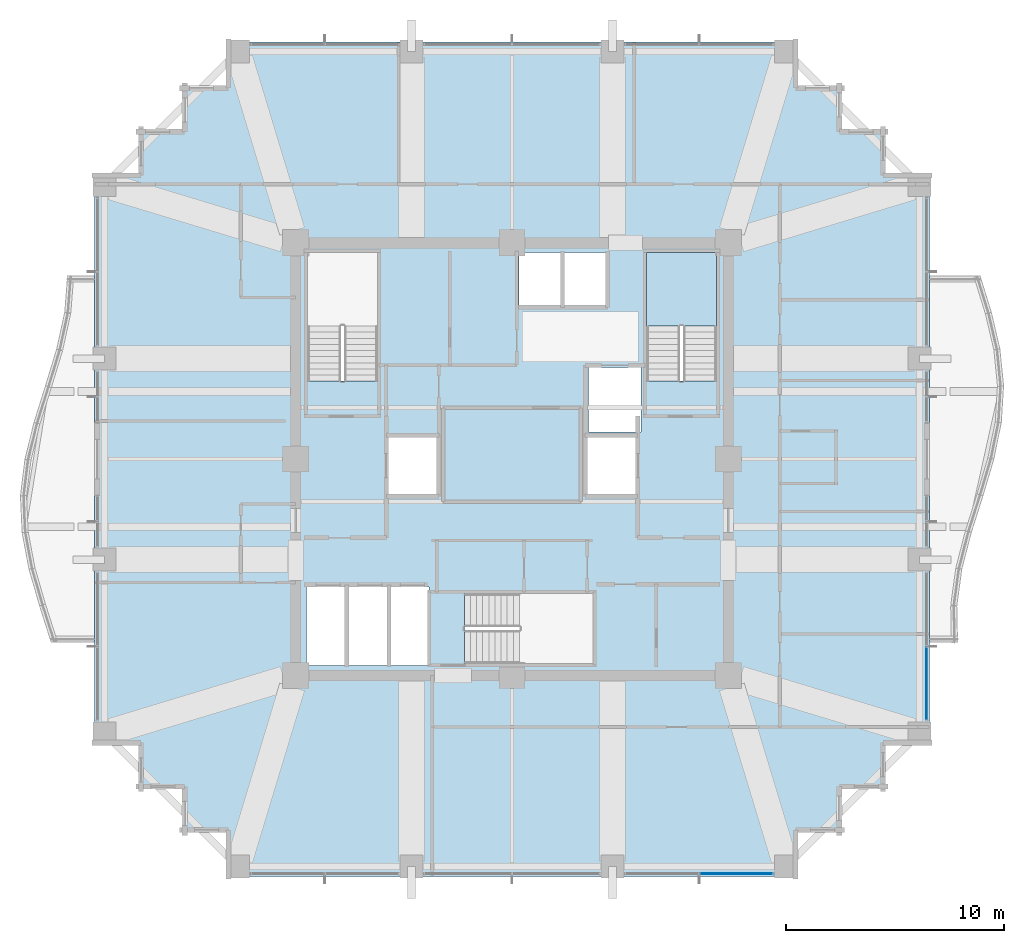
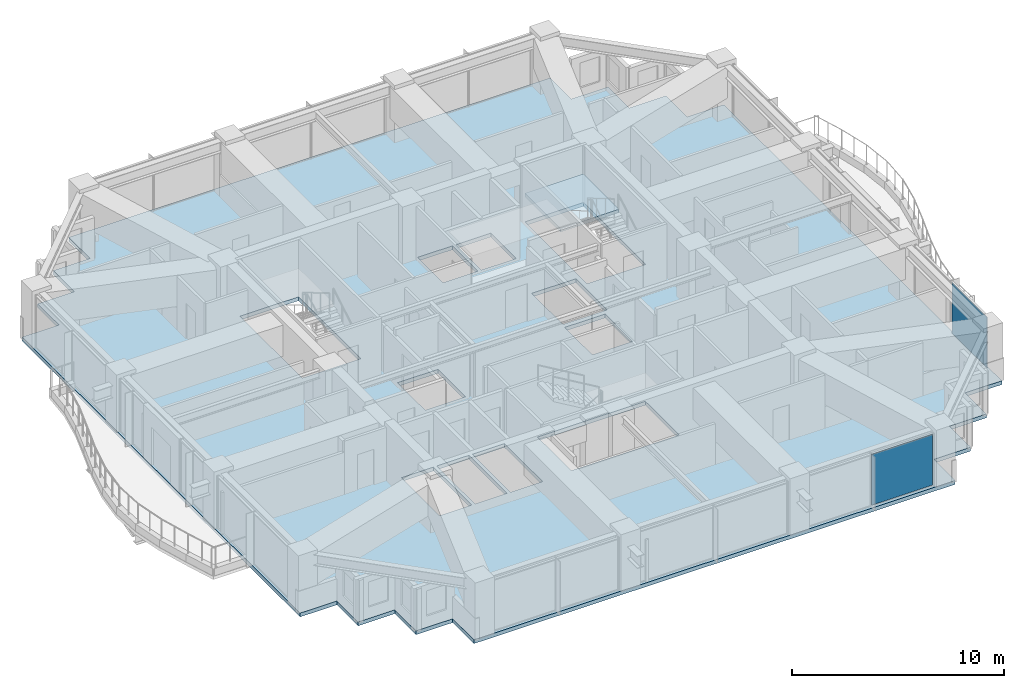
# One storey, part 27 of 36: 2 plates, 2 slabs, 3 elements without a shape of their own.
"""IFC4 building model written with IfcOpenShell, lengths in metres."""

from ifc_helpers import new_model, si_unit, direction, frame, origin, origin_2d, place, context, subcontext, project, spatial, polyline, rectangle, outline, extrude, material, layer, layer_set, type_object, element, aggregate, save


model = new_model("IFC4")

# Units and contexts
model_context = context("Model", 3, precision=1e-05, world=origin(), true_north=direction((0.0, 1.0)))
body_context = subcontext(model_context, "Body", "Model", "MODEL_VIEW")
ifc_project = project(units=[si_unit("LENGTHUNIT", "METRE"), si_unit("AREAUNIT", "SQUARE_METRE"), si_unit("VOLUMEUNIT", "CUBIC_METRE"), si_unit("PLANEANGLEUNIT", "RADIAN"), si_unit("MASSUNIT", "GRAM", prefix="KILO")], contexts=[model_context])

# Site, building, storey
site_placement = place(None, origin())
site = spatial("IfcSite", under=ifc_project, at=site_placement, CompositionType="ELEMENT")
building_placement = place(site_placement, origin())
building = spatial("IfcBuilding", under=site, at=building_placement, Name="Kolvaren Belvedere", CompositionType="ELEMENT")
storey_placement = place(building_placement, frame((0.0, 0.0, 108.5)))
storey = spatial("IfcBuildingStorey", under=building, at=storey_placement, Name="L31", CompositionType="ELEMENT", Elevation=108.5)

# Curtain wall, plate
ifc_material_1 = material(Name="Anodised pale-metal aluminium AA 6063-T6", Category="aluminium")
curtain_wall_type = type_object("IfcCurtainWallType", Name="CW-Z3-WAIST", PredefinedType="NOTDEFINED", material=ifc_material_1)
curtain_wall_1_placement = place(storey_placement, origin())
curtain_wall_1 = element("IfcCurtainWall", 1, at=curtain_wall_1_placement, inside=storey, type_object=curtain_wall_type, Name="L31 Unitised Curtain Wall FCW-L31-S-B1", PredefinedType="NOTDEFINED")
ifc_material_2 = material(Name="Low-iron triple insulated glass", Category="glass")
ifc_layer_1 = layer(ifc_material_2, 0.028076171875)
ifc_layer_set_1 = layer_set([ifc_layer_1], Name="Low-iron triple insulated glass")
plate_type = type_object("IfcPlateType", Name="CW-PNL-VIS28", PredefinedType="CURTAIN_PANEL", material=ifc_layer_set_1)
plate_1_placement = place(storey_placement, frame((10.273681640625, -18.97998046875, 0.080078125), z_axis=(0.0, 0.0, 1.0), x_axis=(-1.0, 0.0, 0.0)))
plate_1 = element("IfcPlate", 2, at=plate_1_placement, type_object=plate_type, Name="FCW-L31-S-B1 Vision Glazing Panel 1", PredefinedType="CURTAIN_PANEL", context=body_context, shape_type="SweptSolid", body=[
    extrude(rectangle(XDim=3.3173828125, YDim=0.028076171875, at=origin_2d()), origin(), (0.0, 0.0, 1.0), 2.919921875),
])
aggregate(curtain_wall_1, [plate_1])

curtain_wall_2_placement = place(storey_placement, origin())
curtain_wall_2 = element("IfcCurtainWall", 3, at=curtain_wall_2_placement, inside=storey, type_object=curtain_wall_type, Name="L31 Unitised Curtain Wall FCW-L31-E2-B2", PredefinedType="NOTDEFINED")
plate_2_placement = place(storey_placement, frame((18.97998046875, -10.273681640625, 0.080078125), z_axis=(0.0, 0.0, 1.0), x_axis=(0.0, -1.0, 0.0)))
plate_2 = element("IfcPlate", 4, at=plate_2_placement, type_object=plate_type, Name="FCW-L31-E2-B2 Vision Glazing Panel 2", PredefinedType="CURTAIN_PANEL", context=body_context, shape_type="SweptSolid", body=[
    extrude(rectangle(XDim=3.3173828125, YDim=0.028076171875, at=origin_2d()), origin(), (0.0, 0.0, 1.0), 2.919921875),
])
aggregate(curtain_wall_2, [plate_2])

# Slab
ifc_material_3 = material(Name="Concrete C50/60", Category="concrete")
ifc_layer_2 = layer(ifc_material_3, 0.219970703125)
ifc_layer_set_2 = layer_set([ifc_layer_2], Name="Concrete C50/60")
slab_type_1 = type_object("IfcSlabType", Name="SL-FLR-220", PredefinedType="FLOOR", material=ifc_layer_set_2)
slab_1_placement = place(storey_placement, frame((0.0, 0.0, -0.219970703125)))
element("IfcSlab", 5, at=slab_1_placement, inside=storey, type_object=slab_type_1, Name="L31 Primary Structural Slab", PredefinedType="FLOOR", context=body_context, shape_type="SweptSolid", body=[
    extrude(outline(polyline([(-13.10009765625, -19.10009765625), (13.10009765625, -19.10009765625), (13.10009765625, -17.10009765625), (15.10009765625, -17.10009765625), (15.10009765625, -15.10009765625), (17.10009765625, -15.10009765625), (17.10009765625, -13.10009765625), (19.10009765625, -13.10009765625), (19.10009765625, 13.10009765625), (17.10009765625, 13.10009765625), (17.10009765625, 15.10009765625), (15.10009765625, 15.10009765625), (15.10009765625, 17.10009765625), (13.10009765625, 17.10009765625), (13.10009765625, 19.10009765625), (-13.10009765625, 19.10009765625), (-13.10009765625, 17.10009765625), (-15.10009765625, 17.10009765625), (-15.10009765625, 15.10009765625), (-17.10009765625, 15.10009765625), (-17.10009765625, 13.10009765625), (-19.10009765625, 13.10009765625), (-19.10009765625, -13.10009765625), (-17.10009765625, -13.10009765625), (-17.10009765625, -15.10009765625), (-15.10009765625, -15.10009765625), (-15.10009765625, -17.10009765625), (-13.10009765625, -17.10009765625), (-13.10009765625, -19.10009765625)]), holes=[polyline([(-9.35009765625, 3.580078125), (-6.159912109375, 3.580078125), (-6.159912109375, 9.449951171875), (-9.35009765625, 9.449951171875), (-9.35009765625, 3.580078125)]), polyline([(6.159912109375, 3.580078125), (9.35009765625, 3.580078125), (9.35009765625, 9.449951171875), (6.159912109375, 9.449951171875), (6.159912109375, 3.580078125)]), polyline([(-2.169921875, -9.35009765625), (3.699951171875, -9.35009765625), (3.699951171875, -6.159912109375), (-2.169921875, -6.159912109375), (-2.169921875, -9.35009765625)]), polyline([(-5.64990234375, -1.60009765625), (-3.449951171875, -1.60009765625), (-3.449951171875, 1.0), (-5.64990234375, 1.0), (-5.64990234375, -1.60009765625)]), polyline([(3.5, 1.25), (5.89990234375, 1.25), (5.89990234375, 4.199951171875), (3.5, 4.199951171875), (3.5, 1.25)]), polyline([(3.449951171875, -1.60009765625), (5.64990234375, -1.60009765625), (5.64990234375, 1.0), (3.449951171875, 1.0), (3.449951171875, -1.60009765625)]), polyline([(-9.39990234375, -9.449951171875), (-7.64990234375, -9.449951171875), (-7.64990234375, -5.85009765625), (-9.39990234375, -5.85009765625), (-9.39990234375, -9.449951171875)]), polyline([(-7.469970703125, -9.449951171875), (-5.719970703125, -9.449951171875), (-5.719970703125, -5.85009765625), (-7.469970703125, -5.85009765625), (-7.469970703125, -9.449951171875)]), polyline([(-5.5400390625, -9.449951171875), (-3.7900390625, -9.449951171875), (-3.7900390625, -5.85009765625), (-5.5400390625, -5.85009765625), (-5.5400390625, -9.449951171875)]), polyline([(0.320068359375, 7.050048828125), (2.219970703125, 7.050048828125), (2.219970703125, 9.449951171875), (0.320068359375, 9.449951171875), (0.320068359375, 7.050048828125)]), polyline([(2.39990234375, 7.050048828125), (4.300048828125, 7.050048828125), (4.300048828125, 9.449951171875), (2.39990234375, 9.449951171875), (2.39990234375, 7.050048828125)])]), origin(), (0.0, 0.0, 1.0), 0.219970703125),
])

# Stair, slab
ifc_material_4 = material(Name="Concrete C50/60", Category="concrete")
stair_type = type_object("IfcStairType", Name="ST-CORE-1520", PredefinedType="HALF_TURN_STAIR", material=ifc_material_4)
stair_placement = place(storey_placement, origin())
stair = element("IfcStair", 6, at=stair_placement, inside=storey, type_object=stair_type, Name="L31 Protected Exit Stair ST-2", PredefinedType="HALF_TURN_STAIR")
ifc_material_5 = material(Name="Concrete C50/60", Category="concrete")
ifc_layer_3 = layer(ifc_material_5, 0.260009765625)
ifc_layer_set_3 = layer_set([ifc_layer_3], Name="Concrete C50/60")
slab_type_2 = type_object("IfcSlabType", Name="SL-LAND-260", PredefinedType="LANDING", material=ifc_layer_set_3)
slab_2_placement = place(storey_placement, frame((0.0, 0.0, 1.449951171875)))
slab_2 = element("IfcSlab", 7, at=slab_2_placement, type_object=slab_type_2, Name="ST-2 landing 1", PredefinedType="LANDING", context=body_context, shape_type="SweptSolid", body=[
    extrude(outline(polyline([(9.35009765625, 6.090087890625), (9.35009765625, 9.449951171875), (6.159912109375, 9.449951171875), (6.159912109375, 6.090087890625), (9.35009765625, 6.090087890625)])), origin(), (0.0, 0.0, 1.0), 0.199951171875),
])
aggregate(stair, [slab_2])

save(model, "model.ifc")
